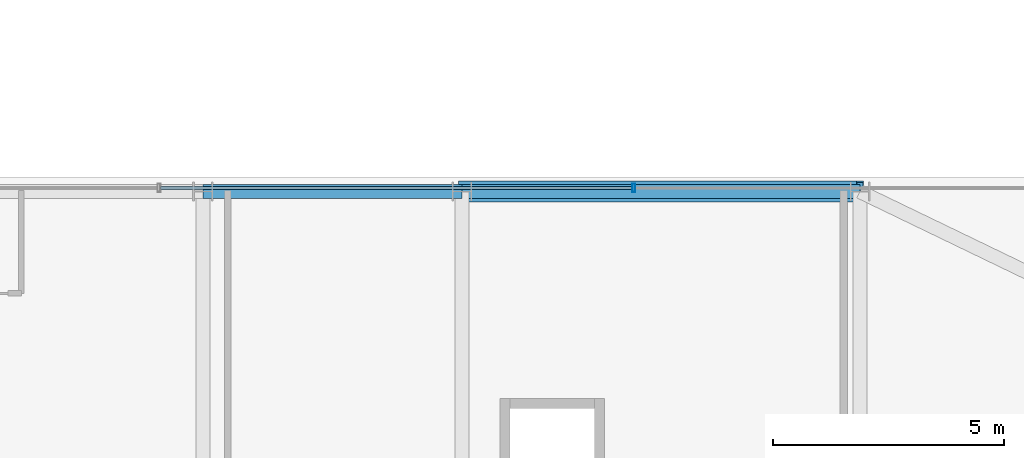
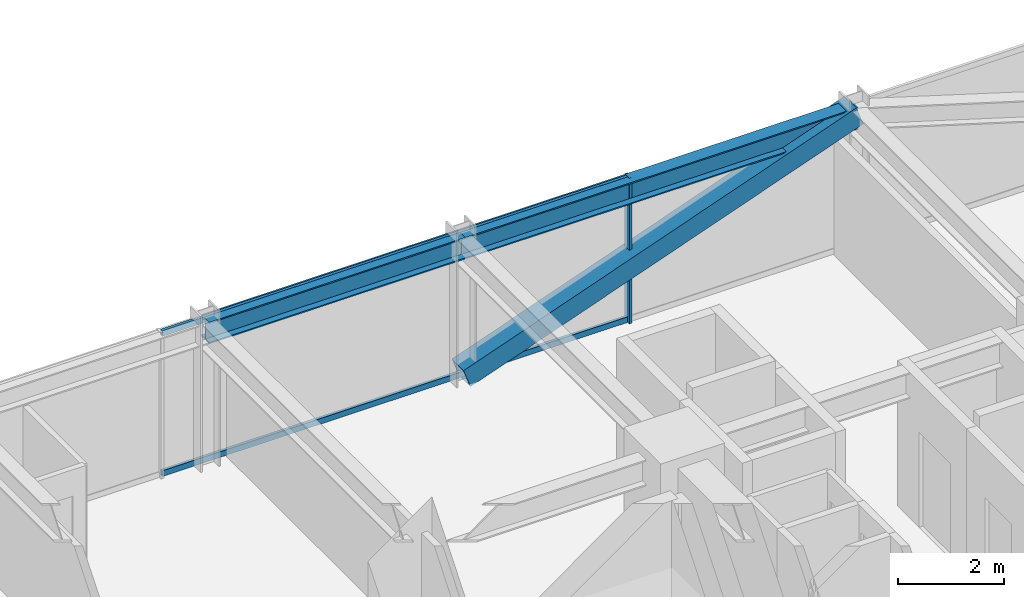
# One storey, part 27 of 39: 4 members, 2 beams, 1 element without a shape of its own.
"""IFC4 building model written with IfcOpenShell, lengths in metres."""

import ifcopenshell
import ifcopenshell.guid

model = None  # the IFC model being written
_history = None  # IfcOwnerHistory: only IFC2X3 demands one
_inside = {}  # id of a spatial element -> (the spatial element, [elements in it])
_under = {}  # id of a project, library or spatial element -> (it, [spatial elements below it])
_declared = {}  # id of a project -> (the project, [libraries it declares])
_typed = {}  # id of a type object -> (the type object, [elements of that type])
_made_of = {}  # id of a material, layer set ... -> (it, [elements and type objects made of it])


def new_model(schema):
    """Start an empty IFC model of exactly this schema.

    Asked for "IFC4X3", IfcOpenShell would pick the latest addendum, in which some entities
    have other attributes; the version numbers below select the first issue.
    IFC2X3 requires an IfcOwnerHistory on every rooted entity: one is made here for all.
    """
    global model, _history
    if schema == "IFC4X3":
        model = ifcopenshell.file(schema_version=(4, 3, 0, 0))
    else:
        model = ifcopenshell.file(schema=schema)
    _inside.clear()
    _under.clear()
    _declared.clear()
    _typed.clear()
    _made_of.clear()
    _history = None
    if model.schema == "IFC2X3":
        org = make("IfcOrganization", Name="unknown")
        user = make(
            "IfcPersonAndOrganization",
            ThePerson=make("IfcPerson", FamilyName="unknown"),
            TheOrganization=org,
        )
        app = make(
            "IfcApplication",
            ApplicationDeveloper=org,
            Version="unknown",
            ApplicationFullName="unknown",
            ApplicationIdentifier="unknown",
        )
        _history = make(
            "IfcOwnerHistory",
            OwningUser=user,
            OwningApplication=app,
            ChangeAction="ADDED",
            CreationDate=0,
        )
    return model


def make(cls, **values):
    """One entity of the class cls with the attributes given. An attribute that is None is left unset."""
    return model.create_entity(
        cls, **{name: value for name, value in values.items() if value is not None}
    )


def rooted(cls, **values):
    """An entity with a GlobalId (a new one), such as an element, a storey or a relation."""
    return make(cls, GlobalId=ifcopenshell.guid.new(), OwnerHistory=_history, **values)


def si_unit(unit_type, name, prefix=None):
    """IfcSIUnit, for example si_unit("LENGTHUNIT", "METRE", prefix="MILLI")."""
    return make("IfcSIUnit", UnitType=unit_type, Prefix=prefix, Name=name)


def assignment(units):
    """IfcUnitAssignment: the units of a project."""
    return None if units is None else make("IfcUnitAssignment", Units=units)


def point(xyz):
    """IfcCartesianPoint."""
    return None if xyz is None else make("IfcCartesianPoint", Coordinates=xyz)


def direction(xyz):
    """IfcDirection."""
    return None if xyz is None else make("IfcDirection", DirectionRatios=xyz)


def frame(location, z_axis=None, x_axis=None):
    """IfcAxis2Placement3D, a coordinate frame: its origin and axes. An axis left out is left unset."""
    return make(
        "IfcAxis2Placement3D",
        Location=point(location),
        Axis=direction(z_axis),
        RefDirection=direction(x_axis),
    )


def frame_2d(location, x_axis=None):
    """IfcAxis2Placement2D, a coordinate frame in the plane: its origin and x axis."""
    return make(
        "IfcAxis2Placement2D", Location=point(location), RefDirection=direction(x_axis)
    )


def origin():
    """The frame at (0, 0, 0) with its axes left unset."""
    return frame((0.0, 0.0, 0.0))


def origin_2d():
    """The frame at (0, 0) in the plane with its x axis left unset."""
    return frame_2d((0.0, 0.0))


def place(relative_to, where):
    """IfcLocalPlacement: puts the frame where relative to a parent placement (None: the world)."""
    return make(
        "IfcLocalPlacement", PlacementRelTo=relative_to, RelativePlacement=where
    )


def context(
    kind, dimensions, precision=None, world=None, true_north=None, identifier=None
):
    """IfcGeometricRepresentationContext, for example the 3D "Model" context."""
    return make(
        "IfcGeometricRepresentationContext",
        ContextIdentifier=identifier,
        ContextType=kind,
        CoordinateSpaceDimension=dimensions,
        Precision=precision,
        WorldCoordinateSystem=world,
        TrueNorth=true_north,
    )


def subcontext(parent, identifier, kind, view, scale=None):
    """IfcGeometricRepresentationSubContext, for example "Body" below "Model"."""
    return make(
        "IfcGeometricRepresentationSubContext",
        ContextIdentifier=identifier,
        ContextType=kind,
        ParentContext=parent,
        TargetScale=scale,
        TargetView=view,
    )


def project(units=None, contexts=None):
    """IfcProject with its units and contexts."""
    return rooted(
        "IfcProject",
        Name="project",
        RepresentationContexts=contexts,
        UnitsInContext=assignment(units),
    )


def spatial(cls, under=None, at=None, **own):
    """A site, building, storey or space (cls), placed at a placement, below another one or the project."""
    s = rooted(cls, ObjectPlacement=at, **own)
    if under is not None:
        _under.setdefault(under.id(), (under, []))[1].append(s)
    return s


def profile(cls, at=None, kind="AREA", **sizes):
    """A parametric profile (cls). Its sizes go by their IFC names, for example OverallWidth=200.0."""
    return make(cls, ProfileType=kind, Position=at, **sizes)


def hollow_rectangle(**sizes):
    """IfcRectangleHollowProfileDef."""
    return profile("IfcRectangleHollowProfileDef", **sizes)


def i_section(**sizes):
    """IfcIShapeProfileDef."""
    return profile("IfcIShapeProfileDef", **sizes)


def extrude(swept, where, along, depth):
    """IfcExtrudedAreaSolid: the profile swept, set in the frame where, extruded along a direction by depth."""
    return make(
        "IfcExtrudedAreaSolid",
        SweptArea=swept,
        Position=where,
        ExtrudedDirection=direction(along),
        Depth=depth,
    )


def shape(context_of_items, identifier, shape_type, items):
    """IfcShapeRepresentation: the items that make up one representation, for example the "Body"."""
    return make(
        "IfcShapeRepresentation",
        ContextOfItems=context_of_items,
        RepresentationIdentifier=identifier,
        RepresentationType=shape_type,
        Items=items,
    )


def source(mapping_origin, context_of_items, identifier, shape_type, items):
    """IfcRepresentationMap: a shape defined once, which mapped items show again and again."""
    return make(
        "IfcRepresentationMap",
        MappingOrigin=mapping_origin,
        MappedRepresentation=shape(context_of_items, identifier, shape_type, items),
    )


def transform(
    local_origin,
    x_axis=None,
    y_axis=None,
    z_axis=None,
    scale=None,
    scale2=None,
    scale3=None,
    uniform=True,
):
    """IfcCartesianTransformationOperator3D, or its non-uniform kind. x_axis, y_axis, z_axis: its Axis1, 2, 3."""
    if uniform:
        return make(
            "IfcCartesianTransformationOperator3D",
            Axis1=direction(x_axis),
            Axis2=direction(y_axis),
            LocalOrigin=point(local_origin),
            Scale=scale,
            Axis3=direction(z_axis),
        )
    return make(
        "IfcCartesianTransformationOperator3DnonUniform",
        Axis1=direction(x_axis),
        Axis2=direction(y_axis),
        LocalOrigin=point(local_origin),
        Scale=scale,
        Axis3=direction(z_axis),
        Scale2=scale2,
        Scale3=scale3,
    )


def mapped(mapping_source, mapping_target):
    """IfcMappedItem: shows the shape of a source again, moved by a transform."""
    return make(
        "IfcMappedItem", MappingSource=mapping_source, MappingTarget=mapping_target
    )


def material(Name=None, Category=None):
    """IfcMaterial."""
    return make("IfcMaterial", Name=Name, Category=Category)


def material_profile(
    of_material, cross_section, Name=None, Category=None, Priority=None
):
    """IfcMaterialProfile: a cross section and its material."""
    return make(
        "IfcMaterialProfile",
        Name=Name,
        Material=of_material,
        Profile=cross_section,
        Priority=Priority,
        Category=Category,
    )


def profile_set(profiles, Name=None, composite=None):
    """IfcMaterialProfileSet."""
    return make(
        "IfcMaterialProfileSet",
        Name=Name,
        MaterialProfiles=profiles,
        CompositeProfile=composite,
    )


def made_of(thing, what):
    """Note that an element or type object is made of a material, layer set ...; save() writes the relation."""
    if what is not None:
        _made_of.setdefault(what.id(), (what, []))[1].append(thing)
    return thing


def type_object(cls, material=None, **own):
    """A type object (cls), such as IfcWallType, which elements share."""
    return made_of(rooted(cls, **own), material)


def element(
    cls,
    number,
    at=None,
    inside=None,
    cuts=None,
    type_object=None,
    material=None,
    context=None,
    identifier="Body",
    shape_type=None,
    held_by="IfcProductDefinitionShape",
    body=None,
    shapes=None,
    **own,
):
    """One element of the class cls, such as IfcWall. Its Tag is "e" and its number.

    at: its placement. inside: the storey or other place that contains it. cuts: it is an
    opening in that element (IfcRelVoidsElement). A single representation is given by context,
    identifier, shape_type and body (its items); several are given by shapes. held_by: the class
    of the entity that holds the representations. save() writes the other relations.
    """
    e = rooted(cls, Tag="e%d" % number, ObjectPlacement=at, **own)
    if body is not None:
        shapes = [shape(context, identifier, shape_type, body)]
    if shapes is not None:
        e.Representation = make(held_by, Representations=shapes)
    if inside is not None:
        _inside.setdefault(inside.id(), (inside, []))[1].append(e)
    if cuts is not None:
        rooted(
            "IfcRelVoidsElement", RelatingBuildingElement=cuts, RelatedOpeningElement=e
        )
    if type_object is not None:
        _typed.setdefault(type_object.id(), (type_object, []))[1].append(e)
    return made_of(e, material)


def aggregate(whole, parts):
    """IfcRelAggregates: a whole, such as a stair, and the parts it consists of."""
    return rooted("IfcRelAggregates", RelatingObject=whole, RelatedObjects=parts)


def save(model, path):
    """Write the relations noted so far, then the file.

    IfcRelAggregates (storeys below a building ...), IfcRelContainedInSpatialStructure (elements
    in a storey), IfcRelDefinesByType, IfcRelAssociatesMaterial and IfcRelDeclares: one each for
    every whole, place, type object, material and project.
    """
    for whole, parts in _under.values():
        aggregate(whole, parts)
    for where, things in _inside.values():
        rooted(
            "IfcRelContainedInSpatialStructure",
            RelatedElements=things,
            RelatingStructure=where,
        )
    for kind, things in _typed.values():
        rooted("IfcRelDefinesByType", RelatedObjects=things, RelatingType=kind)
    for what, things in _made_of.values():
        rooted("IfcRelAssociatesMaterial", RelatedObjects=things, RelatingMaterial=what)
    for by, libraries in _declared.values():
        rooted("IfcRelDeclares", RelatingContext=by, RelatedDefinitions=libraries)
    model.write(path)


model = new_model("IFC4")

# Units and contexts
model_context = context("Model", 3, precision=1e-05, world=origin(), true_north=direction((0.0, 1.0)))
body_context = subcontext(model_context, "Body", "Model", "MODEL_VIEW")
ifc_project = project(units=[si_unit("LENGTHUNIT", "METRE"), si_unit("AREAUNIT", "SQUARE_METRE"), si_unit("VOLUMEUNIT", "CUBIC_METRE"), si_unit("PLANEANGLEUNIT", "RADIAN"), si_unit("MASSUNIT", "GRAM", prefix="KILO")], contexts=[model_context])

# Site, building, storey
site_placement = place(None, origin())
site = spatial("IfcSite", under=ifc_project, at=site_placement, CompositionType="ELEMENT")
building_placement = place(site_placement, origin())
building = spatial("IfcBuilding", under=site, at=building_placement, Name="Nahalor Promenade Grand Hotel", CompositionType="ELEMENT")
storey_placement = place(building_placement, frame((0.0, 0.0, 32.39990234375)))
storey = spatial("IfcBuildingStorey", under=building, at=storey_placement, Name="L06", CompositionType="ELEMENT", Elevation=32.39990234375)

# Beams
ifc_material_1 = material(Name="Steel S355JR", Category="steel")
ifc_material_profile_1 = material_profile(ifc_material_1, i_section(OverallWidth=0.3, OverallDepth=0.5, WebThickness=0.0145, FlangeThickness=0.028, at=origin_2d()), Name="HEB 500")
ifc_profile_set_1 = profile_set([ifc_material_profile_1], Name="Steel S355JR")
beam_type = type_object("IfcBeamType", Name="Beam-Spandrel-HEB500", PredefinedType="SPANDREL", material=ifc_profile_set_1)
shared_shape_1 = source(origin(), body_context, "Body", "SweptSolid", [
    extrude(i_section(OverallWidth=0.3, OverallDepth=0.5, WebThickness=0.0145, FlangeThickness=0.028, at=origin_2d()), origin(), (0.0, 0.0, 1.0), 8.60009765625),
])
beam_1_placement = place(storey_placement, frame((8.39990234375, 25.080078125, 3.1201171875), z_axis=(1.0, 0.0, 0.0), x_axis=(0.0, 1.0, 0.0)))
element("IfcBeam", 1, at=beam_1_placement, inside=storey, type_object=beam_type, Name="BM-L06-SP-N-4", PredefinedType="SPANDREL", context=body_context, shape_type="MappedRepresentation", body=[
    mapped(shared_shape_1, transform((0.0, 0.0, 0.0), scale=1.0)),
])
shared_shape_2 = source(origin(), body_context, "Body", "SweptSolid", [
    extrude(i_section(OverallWidth=0.3, OverallDepth=0.5, WebThickness=0.0145, FlangeThickness=0.028, at=origin_2d()), origin(), (0.0, 0.0, 1.0), 5.599853515625),
])
beam_2_placement = place(storey_placement, frame((2.800048828125, 25.080078125, 3.1201171875), z_axis=(1.0, 0.0, 0.0), x_axis=(0.0, 1.0, 0.0)))
element("IfcBeam", 2, at=beam_2_placement, inside=storey, type_object=beam_type, Name="BM-L06-SP-N-3", PredefinedType="SPANDREL", context=body_context, shape_type="MappedRepresentation", body=[
    mapped(shared_shape_2, transform((0.0, 0.0, 0.0), scale=1.0)),
])

# Member
ifc_material_2 = material(Name="Steel S355J2", Category="steel")
ifc_material_profile_2 = material_profile(ifc_material_2, hollow_rectangle(XDim=0.45, YDim=0.45, WallThickness=0.025, at=origin_2d()), Name="SHS 450x450x25")
ifc_profile_set_2 = profile_set([ifc_material_profile_2], Name="Steel S355J2")
member_type_1 = type_object("IfcMemberType", Name="Mem-ExoBrace-SHS450", PredefinedType="BRACE", material=ifc_profile_set_2)
shared_shape_3 = source(origin(), body_context, "Body", "SweptSolid", [
    extrude(hollow_rectangle(XDim=0.45, YDim=0.45, WallThickness=0.025, at=origin_2d()), origin(), (0.0, 0.0, 1.0), 9.131591796875),
])
member_1_placement = place(storey_placement, frame((8.39990234375, 25.080078125, 0.150146484375), z_axis=(0.941790292179, 0.0, 0.336200900589), x_axis=(0.0, 1.0, 0.0)))
element("IfcMember", 3, at=member_1_placement, inside=storey, type_object=member_type_1, Name="EXO-L06-N-1", PredefinedType="BRACE", context=body_context, shape_type="MappedRepresentation", body=[
    mapped(shared_shape_3, transform((0.0, 0.0, 0.0), scale=1.0)),
])

# Curtain wall, members
ifc_material_3 = material(Name="Anodised Bronze Aluminium EN AW-6063 T6", Category="aluminium")
curtain_wall_type = type_object("IfcCurtainWallType", Name="CW2 Typical Hotel Flush Bronze Unitised Curtain Wall", PredefinedType="USERDEFINED", material=ifc_material_3)
curtain_wall_placement = place(storey_placement, origin())
curtain_wall = element("IfcCurtainWall", 4, at=curtain_wall_placement, inside=storey, type_object=curtain_wall_type, Name="L06 Curtain Wall CW-L06-N-3", ObjectType="UNITISED_CURTAIN_WALL", PredefinedType="USERDEFINED")
ifc_material_profile_3 = material_profile(ifc_material_3, hollow_rectangle(XDim=0.065, YDim=0.18, WallThickness=0.004, at=origin_2d()), Name="CWM 65x180x4")
ifc_profile_set_3 = profile_set([ifc_material_profile_3], Name="Anodised Bronze Aluminium EN AW-6063 T6")
member_type_2 = type_object("IfcMemberType", Name="CWM2 Typical Bronze Mullion 65x180", PredefinedType="MULLION", material=ifc_profile_set_3)
shared_shape_4 = source(origin(), body_context, "Body", "SweptSolid", [
    extrude(hollow_rectangle(XDim=0.065, YDim=0.18, WallThickness=0.004, at=origin_2d()), origin(), (0.0, 0.0, 1.0), 3.3701171875),
])
member_2_placement = place(storey_placement, frame((12.106689453125, 25.159912109375, 0.0), z_axis=(0.0, 0.0, 1.0), x_axis=(1.0, 0.0, 0.0)))
member_2 = element("IfcMember", 5, at=member_2_placement, type_object=member_type_2, Name="CW-L06-N-3 Mullion 2", PredefinedType="MULLION", context=body_context, shape_type="MappedRepresentation", body=[
    mapped(shared_shape_4, transform((0.0, 0.0, 0.0), scale=1.0)),
])
ifc_material_profile_4 = material_profile(ifc_material_3, hollow_rectangle(XDim=0.065, YDim=0.13, WallThickness=0.004, at=origin_2d()), Name="CWT 65x130x4")
ifc_profile_set_4 = profile_set([ifc_material_profile_4], Name="Anodised Bronze Aluminium EN AW-6063 T6")
member_type_3 = type_object("IfcMemberType", Name="CWT2 Typical Bronze Transom 65x130", PredefinedType="USERDEFINED", material=ifc_profile_set_4)
shared_shape_5 = source(origin(), body_context, "Body", "SweptSolid", [
    extrude(hollow_rectangle(XDim=0.065, YDim=0.13, WallThickness=0.004, at=origin_2d()), origin(), (0.0, 0.0, 1.0), 10.1884765625),
])
member_3_placement = place(storey_placement, frame((1.8857421875, 25.159912109375, 0.065185546875), z_axis=(1.0, 0.0, 0.0), x_axis=(0.0, 1.0, 0.0)))
member_3 = element("IfcMember", 6, at=member_3_placement, type_object=member_type_3, Name="CW-L06-N-3 Transom 1-0", ObjectType="TRANSOM", PredefinedType="USERDEFINED", context=body_context, shape_type="MappedRepresentation", body=[
    mapped(shared_shape_5, transform((0.0, 0.0, 0.0), scale=1.0)),
])
member_4_placement = place(storey_placement, frame((1.8857421875, 25.159912109375, 3.30517578125), z_axis=(1.0, 0.0, 0.0), x_axis=(0.0, 1.0, 0.0)))
member_4 = element("IfcMember", 7, at=member_4_placement, type_object=member_type_3, Name="CW-L06-N-3 Transom 1-1", ObjectType="TRANSOM", PredefinedType="USERDEFINED", context=body_context, shape_type="MappedRepresentation", body=[
    mapped(shared_shape_5, transform((0.0, 0.0, 0.0), scale=1.0)),
])
aggregate(curtain_wall, [member_2, member_3, member_4])

save(model, "model.ifc")
